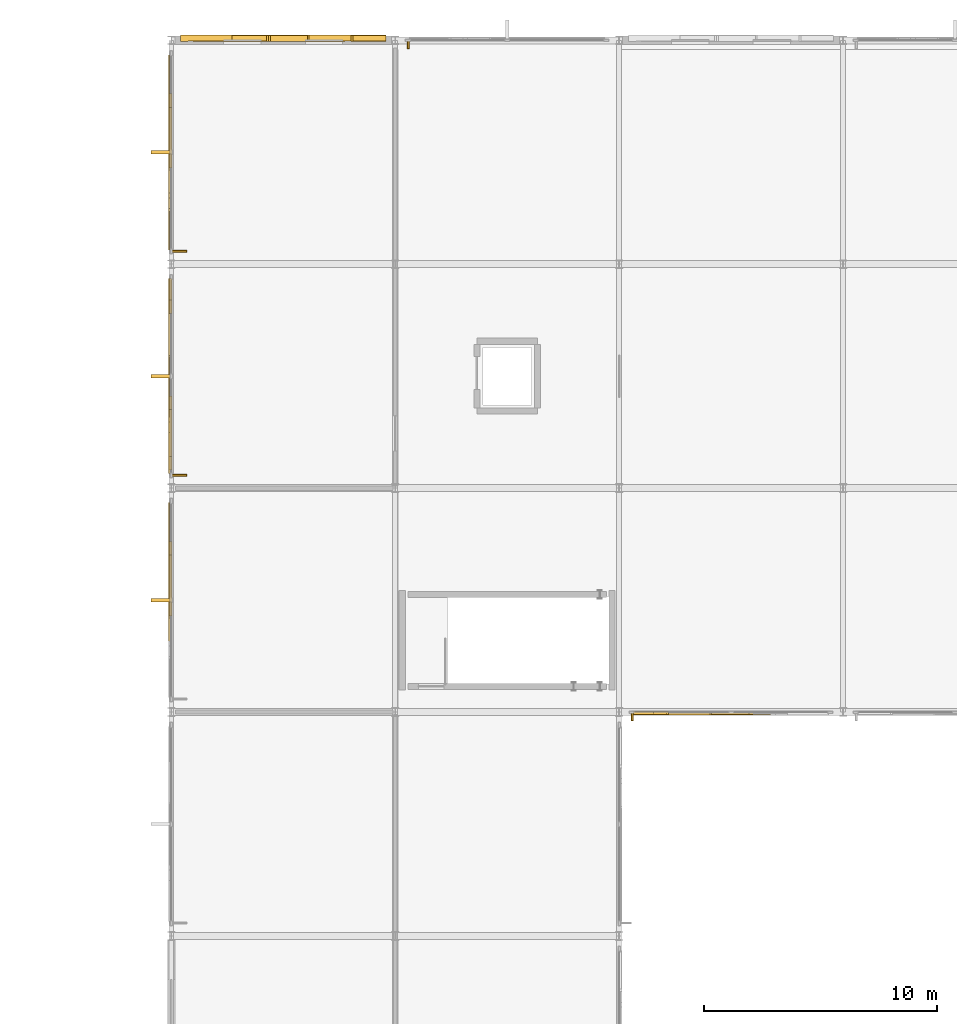
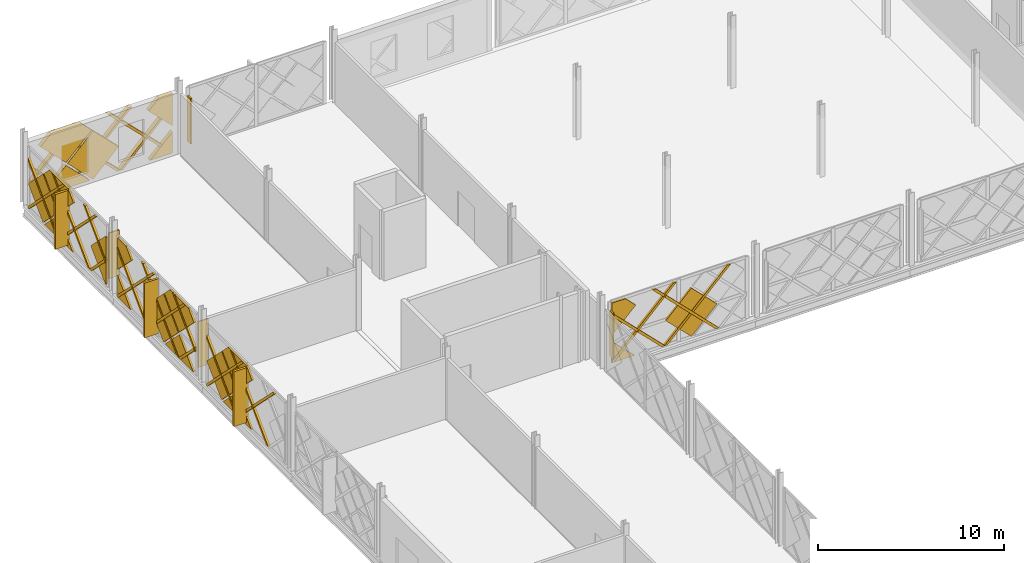
# One storey, part 65 of 77: 49 coverings, 4 shading devices.
"""IFC4 building model written with IfcOpenShell, lengths in metres."""

from ifc_helpers import new_model, si_unit, direction, frame, origin, origin_2d, place, context, subcontext, project, spatial, polyline, rectangle, outline, extrude, material, layer, layer_set, type_object, element, save


model = new_model("IFC4")

# Units and contexts
model_context = context("Model", 3, precision=1e-05, world=origin(), true_north=direction((0.0, 1.0)))
body_context = subcontext(model_context, "Body", "Model", "MODEL_VIEW")
ifc_project = project(units=[si_unit("LENGTHUNIT", "METRE"), si_unit("AREAUNIT", "SQUARE_METRE"), si_unit("VOLUMEUNIT", "CUBIC_METRE"), si_unit("PLANEANGLEUNIT", "RADIAN"), si_unit("MASSUNIT", "GRAM", prefix="KILO")], contexts=[model_context])

# Site, building, storey
site_placement = place(None, origin())
site = spatial("IfcSite", under=ifc_project, at=site_placement, CompositionType="ELEMENT")
building_placement = place(site_placement, origin())
building = spatial("IfcBuilding", under=site, at=building_placement, Name="Zevrakil Square Congress Hotel", CompositionType="ELEMENT")
storey_placement = place(building_placement, frame((0.0, 0.0, 9.89990234375)))
storey = spatial("IfcBuildingStorey", under=building, at=storey_placement, Name="L03", CompositionType="ELEMENT", Elevation=9.89990234375)

# Coverings
ifc_material_1 = material(Name="Architectural White Fibre-C GRC", Category="concrete")
ifc_layer_1 = layer(ifc_material_1, 0.06494140625)
ifc_layer_set_1 = layer_set([ifc_layer_1], Name="Architectural White Fibre-C GRC")
covering_type_1 = type_object("IfcCoveringType", Name="COV-DIA-WHITE", PredefinedType="CLADDING", material=ifc_layer_set_1)
covering_1_placement = place(storey_placement, frame((45.506103515625, 89.719970703125, 1.590087890625), z_axis=(-0.999999673239, 0.0, 0.000808407173), x_axis=(-0.000571630288, -0.707106665659, -0.707106665659)))
element("IfcCovering", 1, at=covering_1_placement, inside=storey, type_object=covering_type_1, Name="L03 45-degree white GRC diamond facade cassette 510", PredefinedType="CLADDING", context=body_context, shape_type="SweptSolid", body=[
    extrude(outline(polyline([(0.0, 0.0), (2.1354766387581616, -2.220446049250313e-16), (6.977908784122633e-07, -2.135476638758047), (0.0, 0.0)])), origin(), (0.0, 0.0, -1.0), 0.1201171875),
])
covering_2_placement = place(storey_placement, frame((45.507080078125, 91.39990234375, 3.27001953125), z_axis=(-0.999999812555, 0.0, 0.000612281941), x_axis=(-0.000432948753, -0.707106714489, -0.707106715341)))
element("IfcCovering", 2, at=covering_2_placement, inside=storey, type_object=covering_type_1, Name="L03 45-degree white GRC diamond facade cassette 511", PredefinedType="CLADDING", context=body_context, shape_type="SweptSolid", body=[
    extrude(outline(polyline([(0.0, 0.0), (2.2483788053823686, 2.220446049250313e-16), (2.2485518630143098, -2.2485514388251864), (0.013983735657622232, -2.2485514362281265), (-0.00017220932723183147, -2.23439549391379), (0.0, 0.0)])), origin(), (0.0, 0.0, -1.0), 0.1201171875),
])
covering_3_placement = place(storey_placement, frame((45.507080078125, 88.1298828125, 3.360107421875), z_axis=(-0.999999854023, 0.0, 0.000540328059), x_axis=(-0.00038206967, 0.707106715472, -0.70710674368)))
element("IfcCovering", 3, at=covering_3_placement, inside=storey, type_object=covering_type_1, Name="L03 45-degree white GRC diamond facade cassette 513", PredefinedType="CLADDING", context=body_context, shape_type="SweptSolid", body=[
    extrude(outline(polyline([(0.0, 0.0), (2.248724069270764, 0.0), (2.2487236513034583, -2.2487240692707253), (1.4214639271342926, -2.2487240252880873), (0.00017252369644732424, -0.827432357676704), (0.0, 0.0)])), origin(), (0.0, 0.0, -1.0), 0.1201171875),
])
covering_4_placement = place(storey_placement, frame((45.5048828125, 101.169921875, 0.080078125), z_axis=(-0.999999760125, 0.0, 0.000692640526), x_axis=(0.0, 1.0, 0.0)))
element("IfcCovering", 4, at=covering_4_placement, inside=storey, type_object=covering_type_1, Name="L03 45-degree white GRC diamond facade cassette 521", PredefinedType="CLADDING", context=body_context, shape_type="SweptSolid", body=[
    extrude(outline(polyline([(0.0, 0.0), (1.41015625, 0.0), (1.41015625, -1.4099124475784226), (0.0, 0.0)])), origin(), (0.0, 0.0, -1.0), 0.1201171875),
])
covering_5_placement = place(storey_placement, frame((45.506103515625, 95.9599609375, 1.590087890625), z_axis=(-0.999999673239, 0.0, 0.000808407173), x_axis=(-0.000571630288, -0.707106665659, -0.707106665659)))
element("IfcCovering", 5, at=covering_5_placement, inside=storey, type_object=covering_type_1, Name="L03 45-degree white GRC diamond facade cassette 522", PredefinedType="CLADDING", context=body_context, shape_type="SweptSolid", body=[
    extrude(outline(polyline([(0.0, 0.0), (2.1354766387581616, -2.220446049250313e-16), (6.977908784122633e-07, -2.135476638758047), (0.0, 0.0)])), origin(), (0.0, 0.0, -1.0), 0.1201171875),
])
covering_6_placement = place(storey_placement, frame((45.507080078125, 97.639892578125, 3.27001953125), z_axis=(-0.999999811377, 0.0, 0.000614203339), x_axis=(-0.000434307387, -0.707106714488, -0.707106714509)))
element("IfcCovering", 6, at=covering_6_placement, inside=storey, type_object=covering_type_1, Name="L03 45-degree white GRC diamond facade cassette 523", PredefinedType="CLADDING", context=body_context, shape_type="SweptSolid", body=[
    extrude(outline(polyline([(0.0, 0.0), (2.2483788053845455, -2.220446049250313e-16), (2.2485518630206376, -2.24855143882716), (-0.00017220931434658304, -2.2485514388922905), (0.0, 0.0)])), origin(), (0.0, 0.0, -1.0), 0.1201171875),
])
covering_7_placement = place(storey_placement, frame((45.507080078125, 101.090087890625, 3.360107421875), z_axis=(-0.999999839698, -5.7299111e-05, 0.000563312318), x_axis=(-0.000438838581, 0.707106706873, -0.707106719326)))
element("IfcCovering", 7, at=covering_7_placement, inside=storey, type_object=covering_type_1, Name="L03 45-degree white GRC diamond facade cassette 524", PredefinedType="CLADDING", context=body_context, shape_type="SweptSolid", body=[
    extrude(outline(polyline([(0.0, 0.0), (2.1071646229117613, 0.0), (0.6399521713140077, -1.467212143818636), (-1.1442284281182324e-07, -0.8272597256709662), (0.0, 0.0)])), origin(), (0.0, 0.0, -1.0), 0.1201171875),
])
covering_8_placement = place(storey_placement, frame((45.507080078125, 94.3701171875, 3.360107421875), z_axis=(-0.999999854024, 0.0, 0.000540326688), x_axis=(-0.000382098033, 0.707052424955, -0.707161030011)))
element("IfcCovering", 8, at=covering_8_placement, inside=storey, type_object=covering_type_1, Name="L03 45-degree white GRC diamond facade cassette 525", PredefinedType="CLADDING", context=body_context, shape_type="SweptSolid", body=[
    extrude(outline(polyline([(0.0, 0.0), (2.2485514424221993, -2.220446049250313e-16), (2.2483783776940776, -2.2487240626110068), (1.4211186559663462, -2.2486605054060838), (-6.362300143414323e-05, -0.8272597217226735), (0.0, 0.0)])), origin(), (0.0, 0.0, -1.0), 0.1201171875),
])
covering_9_placement = place(storey_placement, frame((45.506103515625, 108.919921875, 1.590087890625), z_axis=(-0.999999673239, 0.0, 0.000808407173), x_axis=(-0.000571630288, -0.707106665659, -0.707106665659)))
element("IfcCovering", 9, at=covering_9_placement, inside=storey, type_object=covering_type_1, Name="L03 45-degree white GRC diamond facade cassette 533", PredefinedType="CLADDING", context=body_context, shape_type="SweptSolid", body=[
    extrude(outline(polyline([(0.0, 0.0), (2.1354766387581616, -2.220446049250313e-16), (6.977908784122633e-07, -2.135476638758047), (0.0, 0.0)])), origin(), (0.0, 0.0, -1.0), 0.1201171875),
])
covering_10_placement = place(storey_placement, frame((45.507080078125, 110.60009765625, 3.27001953125), z_axis=(-0.999999812555, 0.0, 0.000612282237), x_axis=(-0.000432915721, -0.707161000838, -0.707052424844)))
element("IfcCovering", 10, at=covering_10_placement, inside=storey, type_object=covering_type_1, Name="L03 45-degree white GRC diamond facade cassette 534", PredefinedType="CLADDING", context=body_context, shape_type="SweptSolid", body=[
    extrude(outline(polyline([(0.0, 0.0), (2.2485514454845923, 0.0), (2.248379222880032, -2.2487240657380214), (0.013983748838055643, -2.248379882955194), (-0.0001711092764935529, -2.234222853853795), (0.0, 0.0)])), origin(), (0.0, 0.0, -1.0), 0.1201171875),
])
covering_11_placement = place(storey_placement, frame((45.505126953125, 103.8798828125, 0.090087890625), z_axis=(-0.999999802683, 0.000140327885, 0.000612324892), x_axis=(0.000532205901, 0.707106704157, 0.707106657933)))
element("IfcCovering", 11, at=covering_11_placement, inside=storey, type_object=covering_type_1, Name="L03 45-degree white GRC diamond facade cassette 535", PredefinedType="CLADDING", context=body_context, shape_type="SweptSolid", body=[
    extrude(outline(polyline([(0.0, 0.0), (2.248724061551621, 2.220446049250313e-16), (2.2485518743230286, -2.2485514275168326), (2.163961345534469, -2.248551358294879), (0.00017263069657306312, -0.08476303958088106), (0.0, 0.0)])), origin(), (0.0, 0.0, -1.0), 0.1201171875),
])
covering_12_placement = place(storey_placement, frame((45.507080078125, 107.330078125, 3.360107421875), z_axis=(-0.999999854024, 0.0, 0.000540326688), x_axis=(-0.000382098033, 0.707052424955, -0.707161030011)))
element("IfcCovering", 12, at=covering_12_placement, inside=storey, type_object=covering_type_1, Name="L03 45-degree white GRC diamond facade cassette 536", PredefinedType="CLADDING", context=body_context, shape_type="SweptSolid", body=[
    extrude(outline(polyline([(0.0, 0.0), (2.2485514424221993, -2.220446049250313e-16), (2.2483783776940776, -2.2487240626110068), (1.4211186559663462, -2.2486605054060838), (-6.362300143414323e-05, -0.8272597217226735), (0.0, 0.0)])), origin(), (0.0, 0.0, -1.0), 0.1201171875),
])
covering_13_placement = place(storey_placement, frame((53.389892578125, 113.0, 0.080078125), z_axis=(0.0, 0.999999760125, 0.000692640526), x_axis=(1.0, 0.0, 0.0)))
element("IfcCovering", 13, at=covering_13_placement, inside=storey, type_object=covering_type_1, Name="L03 45-degree white GRC diamond facade cassette 602", PredefinedType="CLADDING", context=body_context, shape_type="SweptSolid", body=[
    extrude(outline(polyline([(0.0, 0.0), (1.41015625, 0.0), (1.41015625, -1.4099124475784226), (0.0, 0.0)])), origin(), (0.0, 0.0, -1.0), 0.239990234375),
])
covering_14_placement = place(storey_placement, frame((48.179931640625, 112.9990234375, 1.590087890625), z_axis=(0.0, 0.999999790873, 0.000646725815), x_axis=(-0.707106707249, 0.000457304257, -0.707106707249)))
element("IfcCovering", 14, at=covering_14_placement, inside=storey, type_object=covering_type_1, Name="L03 45-degree white GRC diamond facade cassette 603", PredefinedType="CLADDING", context=body_context, shape_type="SweptSolid", body=[
    extrude(outline(polyline([(0.0, 0.0), (2.1354765131557993, 0.0), (4.465861884739297e-07, -2.1354765131557527), (0.0, 0.0)])), origin(), (0.0, 0.0, -1.0), 0.239990234375),
])
covering_15_placement = place(storey_placement, frame((49.860107421875, 112.998046875, 3.27001953125), z_axis=(0.0, 0.999999811377, 0.000614203339), x_axis=(-0.707161000837, 0.000434274042, -0.707052424012)))
element("IfcCovering", 15, at=covering_15_placement, inside=storey, type_object=covering_type_1, Name="L03 45-degree white GRC diamond facade cassette 604", PredefinedType="CLADDING", context=body_context, shape_type="SweptSolid", body=[
    extrude(outline(polyline([(0.0, 0.0), (2.2485514454867683, 0.0), (2.2483792228863573, -2.248724065739994), (-0.0001721960923970478, -2.248378798790573), (0.0, 0.0)])), origin(), (0.0, 0.0, -1.0), 0.239990234375),
])
covering_16_placement = place(storey_placement, frame((53.31005859375, 112.998046875, 3.360107421875), z_axis=(6.8463888e-05, 0.999999818345, 0.00059885107), x_axis=(0.707106740618, 0.000375040409, -0.707106722297)))
element("IfcCovering", 16, at=covering_16_placement, inside=storey, type_object=covering_type_1, Name="L03 45-degree white GRC diamond facade cassette 605", PredefinedType="CLADDING", context=body_context, shape_type="SweptSolid", body=[
    extrude(outline(polyline([(0.0, 0.0), (2.1071645237524566, 0.0), (0.597484308495914, -1.509680043501462), (-1.7130816543087235e-07, -0.9121954979388295), (0.0, 0.0)])), origin(), (0.0, 0.0, -1.0), 0.239990234375),
])
covering_17_placement = place(storey_placement, frame((46.590087890625, 112.998046875, 3.360107421875), z_axis=(0.0, 0.999999833525, 0.000577018806), x_axis=(0.70705245556, 0.000408045255, -0.707160984914)))
element("IfcCovering", 17, at=covering_17_placement, inside=storey, type_object=covering_type_1, Name="L03 45-degree white GRC diamond facade cassette 606", PredefinedType="CLADDING", context=body_context, shape_type="SweptSolid", body=[
    extrude(outline(polyline([(0.0, 0.0), (2.2485513450909322, -2.220446049250313e-16), (2.2483784750178573, -2.2487239653021844), (1.3361829853145168, -2.248654009101226), (-7.020279398489704e-05, -0.9121954896843962), (0.0, 0.0)])), origin(), (0.0, 0.0, -1.0), 0.239990234375),
])
covering_18_placement = place(storey_placement, frame((66.830078125, 83.905029296875, 0.080078125), z_axis=(0.0, -0.999999760125, 0.000692640526), x_axis=(-1.0, 0.0, 0.0)))
element("IfcCovering", 18, at=covering_18_placement, inside=storey, type_object=covering_type_1, Name="L03 45-degree white GRC diamond facade cassette 1544", PredefinedType="CLADDING", context=body_context, shape_type="SweptSolid", body=[
    extrude(outline(polyline([(0.0, 0.0), (1.41015625, 0.0), (1.41015625, -1.4099124475784226), (0.0, 0.0)])), origin(), (0.0, 0.0, -1.0), 0.1201171875),
])
covering_19_placement = place(storey_placement, frame((70.360107421875, 83.906982421875, 3.27001953125), z_axis=(0.0, -0.999999811377, 0.000614203339), x_axis=(0.707106714488, -0.000434307387, -0.707106714509)))
element("IfcCovering", 19, at=covering_19_placement, inside=storey, type_object=covering_type_1, Name="L03 45-degree white GRC diamond facade cassette 1546", PredefinedType="CLADDING", context=body_context, shape_type="SweptSolid", body=[
    extrude(outline(polyline([(0.0, 0.0), (2.2483788053845455, -2.220446049250313e-16), (2.2485518630206376, -2.24855143882716), (-0.00017220931434658304, -2.2485514388922905), (0.0, 0.0)])), origin(), (0.0, 0.0, -1.0), 0.1201171875),
])
covering_20_placement = place(storey_placement, frame((66.909912109375, 83.906982421875, 3.360107421875), z_axis=(-2.6201832e-05, -0.999999757117, 0.000696476053), x_axis=(-0.707106705563, -0.000473955506, -0.70710669797)))
element("IfcCovering", 20, at=covering_20_placement, inside=storey, type_object=covering_type_1, Name="L03 45-degree white GRC diamond facade cassette 1547", PredefinedType="CLADDING", context=body_context, shape_type="SweptSolid", body=[
    extrude(outline(polyline([(0.0, 0.0), (2.1071646234335564, 0.0), (0.5974842236581275, -1.5096800770776109), (-2.2652588360649872e-07, -0.9121954995045182), (0.0, 0.0)])), origin(), (0.0, 0.0, -1.0), 0.1201171875),
])
ifc_material_2 = material(Name="Anodised Champagne Aluminium", Category="aluminium")
ifc_layer_2 = layer(ifc_material_2, 0.0849609375)
ifc_layer_set_2 = layer_set([ifc_layer_2], Name="Anodised Champagne Aluminium")
covering_type_2 = type_object("IfcCoveringType", Name="COV-DIAGRID-45", PredefinedType="MOLDING", material=ifc_layer_set_2)
covering_21_placement = place(storey_placement, frame((45.47998046875, 92.893798828125, 0.080078125), z_axis=(-0.999999881537, -0.000189525479, 0.0004483359), x_axis=(-0.00018952546, 0.99999998204, 8.4971e-08)))
element("IfcCovering", 21, at=covering_21_placement, inside=storey, type_object=covering_type_2, Name="L03 45-degree aluminium diagrid rib 514", PredefinedType="MOLDING", context=body_context, shape_type="SweptSolid", body=[
    extrude(outline(polyline([(0.0, 0.0), (0.08618163907718172, -1.1406045165281983e-24), (0.08618164980229089, -0.12622069043949768), (-3.6525879593209467, -3.864990940503721), (-3.8649902992562106, -3.864990940503721), (0.0, 0.0)])), origin(), (0.0, 0.0, -1.0), 0.14501953125),
])
covering_22_placement = place(storey_placement, frame((45.47998046875, 89.533935546875, 0.080078125), z_axis=(-0.999999800495, 0.0, 0.00063167191), x_axis=(0.0, 1.0, 0.0)))
element("IfcCovering", 22, at=covering_22_placement, inside=storey, type_object=covering_type_2, Name="L03 45-degree aluminium diagrid rib 515", PredefinedType="MOLDING", context=body_context, shape_type="SweptSolid", body=[
    extrude(outline(polyline([(0.0, 0.0), (0.212158203125, 0.0), (-3.65283203125, -3.8649910054589514), (-3.864990234375, -3.8649910054589514), (0.0, 0.0)])), origin(), (0.0, 0.0, -1.0), 0.14501953125),
])
covering_23_placement = place(storey_placement, frame((45.48193359375, 92.97998046875, 3.154052734375), z_axis=(-0.999999905696, 0.00030708991, 0.00030708991), x_axis=(0.000307089896, -9.4304e-08, 0.999999952848)))
element("IfcCovering", 23, at=covering_23_placement, inside=storey, type_object=covering_type_2, Name="L03 45-degree aluminium diagrid rib 517", PredefinedType="MOLDING", context=body_context, shape_type="SweptSolid", body=[
    extrude(outline(polyline([(0.0, 0.0), (0.2121581931212936, 0.0), (-3.0739747543193885, -3.2861332573369064), (-3.073974774326802, -3.0739750642156136), (0.0, 0.0)])), origin(), (0.0, 0.0, -1.0), 0.14501953125),
])
covering_24_placement = place(storey_placement, frame((45.482421875, 90.4111328125, 3.945068359375), z_axis=(-0.999999800495, 0.0, 0.00063167191), x_axis=(0.0, -1.0, 0.0)))
element("IfcCovering", 24, at=covering_24_placement, inside=storey, type_object=covering_type_2, Name="L03 45-degree aluminium diagrid rib 518", PredefinedType="MOLDING", context=body_context, shape_type="SweptSolid", body=[
    extrude(outline(polyline([(0.0, 0.0), (0.212158203125, 0.0), (4.0771484375, -3.8649910054589514), (3.864990234375, -3.8649910054589514), (0.0, 0.0)])), origin(), (0.0, 0.0, -1.0), 0.14501953125),
])
covering_25_placement = place(storey_placement, frame((45.47998046875, 102.493896484375, 0.080078125), z_axis=(-0.999999881569, -0.000189631936, 0.000448220941), x_axis=(-0.000189631917, 0.99999998202, 8.4997e-08)))
element("IfcCovering", 25, at=covering_25_placement, inside=storey, type_object=covering_type_2, Name="L03 45-degree aluminium diagrid rib 526", PredefinedType="MOLDING", context=body_context, shape_type="SweptSolid", body=[
    extrude(outline(polyline([(0.0, 0.0), (0.08618163907544239, 0.0), (0.08618164980382431, -0.12622069044600231), (-3.6528321000275326, -3.8649909404222353), (-3.864990299337899, -3.8649909404222353), (0.0, 0.0)])), origin(), (0.0, 0.0, -1.0), 0.14501953125),
])
covering_26_placement = place(storey_placement, frame((45.47998046875, 99.1337890625, 0.080078125), z_axis=(-0.999999800495, 0.0, 0.00063167191), x_axis=(0.0, 1.0, 0.0)))
element("IfcCovering", 26, at=covering_26_placement, inside=storey, type_object=covering_type_2, Name="L03 45-degree aluminium diagrid rib 527", PredefinedType="MOLDING", context=body_context, shape_type="SweptSolid", body=[
    extrude(outline(polyline([(0.0, 0.0), (0.21240234375, 0.0), (-3.652587890625, -3.864991005458952), (-3.864990234375, -3.864991005458952), (0.0, 0.0)])), origin(), (0.0, 0.0, -1.0), 0.14501953125),
])
covering_27_placement = place(storey_placement, frame((45.47998046875, 95.77392578125, 0.080078125), z_axis=(-0.999999559446, 0.000244467201, 0.000906280278), x_axis=(0.000244467101, 0.999999970118, -2.21556e-07)))
element("IfcCovering", 27, at=covering_27_placement, inside=storey, type_object=covering_type_2, Name="L03 45-degree aluminium diagrid rib 528", PredefinedType="MOLDING", context=body_context, shape_type="SweptSolid", body=[
    extrude(outline(polyline([(0.0, 0.0), (0.21215819678526596, 0.0), (-1.5539551245604528, -1.766113662255786), (-1.5539551372399212, -1.5539553249983964), (0.0, 0.0)])), origin(), (0.0, 0.0, -1.0), 0.14501953125),
])
covering_28_placement = place(storey_placement, frame((45.48193359375, 102.580078125, 3.154052734375), z_axis=(-0.999999905696, 0.00030708991, 0.00030708991), x_axis=(0.000307089896, -9.4304e-08, 0.999999952848)))
element("IfcCovering", 28, at=covering_28_placement, inside=storey, type_object=covering_type_2, Name="L03 45-degree aluminium diagrid rib 529", PredefinedType="MOLDING", context=body_context, shape_type="SweptSolid", body=[
    extrude(outline(polyline([(0.0, 0.0), (0.2121581931212936, 0.0), (-3.0739747543193885, -3.2861332573369064), (-3.073974774326802, -3.0739750642156136), (0.0, 0.0)])), origin(), (0.0, 0.0, -1.0), 0.14501953125),
])
covering_29_placement = place(storey_placement, frame((45.482421875, 100.010986328125, 3.945068359375), z_axis=(-0.999999800495, 0.0, 0.00063167191), x_axis=(0.0, -1.0, 0.0)))
element("IfcCovering", 29, at=covering_29_placement, inside=storey, type_object=covering_type_2, Name="L03 45-degree aluminium diagrid rib 530", PredefinedType="MOLDING", context=body_context, shape_type="SweptSolid", body=[
    extrude(outline(polyline([(0.0, 0.0), (0.212158203125, 0.0), (4.0771484375, -3.8649910054589514), (3.864990234375, -3.8649910054589514), (0.0, 0.0)])), origin(), (0.0, 0.0, -1.0), 0.14501953125),
])
covering_30_placement = place(storey_placement, frame((45.482421875, 96.651123046875, 3.945068359375), z_axis=(-0.999999900763, 0.000315199621, 0.000314837322), x_axis=(-0.000315199605, -0.999999950325, 9.9237e-08)))
element("IfcCovering", 30, at=covering_30_placement, inside=storey, type_object=covering_type_2, Name="L03 45-degree aluminium diagrid rib 531", PredefinedType="MOLDING", context=body_context, shape_type="SweptSolid", body=[
    extrude(outline(polyline([(0.0, 0.0), (0.21215819258595606, 0.0), (2.431152464518475, -2.2187503512234255), (2.4311524434403866, -2.431152684446494), (0.0, 0.0)])), origin(), (0.0, 0.0, -1.0), 0.14501953125),
])
covering_31_placement = place(storey_placement, frame((45.47998046875, 112.093994140625, 0.080078125), z_axis=(-0.999999881591, -0.000189745714, 0.000448122857), x_axis=(-0.000189745695, 0.999999981998, 8.5029e-08)))
element("IfcCovering", 31, at=covering_31_placement, inside=storey, type_object=covering_type_2, Name="L03 45-degree aluminium diagrid rib 537", PredefinedType="MOLDING", context=body_context, shape_type="SweptSolid", body=[
    extrude(outline(polyline([(0.0, 0.0), (0.08593749845297734, 0.0), (0.08593750918544711, -0.12622069045155077), (-3.6528321001012993, -3.864990940352672), (-3.8649902994070873, -3.864990940352672), (0.0, 0.0)])), origin(), (0.0, 0.0, -1.0), 0.14501953125),
])
covering_32_placement = place(storey_placement, frame((45.47998046875, 108.73388671875, 0.080078125), z_axis=(-0.999999800495, 0.0, 0.00063167191), x_axis=(0.0, 1.0, 0.0)))
element("IfcCovering", 32, at=covering_32_placement, inside=storey, type_object=covering_type_2, Name="L03 45-degree aluminium diagrid rib 538", PredefinedType="MOLDING", context=body_context, shape_type="SweptSolid", body=[
    extrude(outline(polyline([(0.0, 0.0), (0.212158203125, 0.0), (-3.65283203125, -3.8649910054589514), (-3.864990234375, -3.8649910054589514), (0.0, 0.0)])), origin(), (0.0, 0.0, -1.0), 0.14501953125),
])
covering_33_placement = place(storey_placement, frame((45.47998046875, 105.373779296875, 0.080078125), z_axis=(-0.999999559614, 0.0002443356, 0.00090613071), x_axis=(0.0002443355, 0.99999997015, -2.214e-07)))
element("IfcCovering", 33, at=covering_33_placement, inside=storey, type_object=covering_type_2, Name="L03 45-degree aluminium diagrid rib 539", PredefinedType="MOLDING", context=body_context, shape_type="SweptSolid", body=[
    extrude(outline(polyline([(0.0, 0.0), (0.2124023374098021, 0.0), (-1.5537109838781846, -1.7661136623125855), (-1.5537109965585807, -1.5539553250629556), (0.0, 0.0)])), origin(), (0.0, 0.0, -1.0), 0.14501953125),
])
covering_34_placement = place(storey_placement, frame((45.48193359375, 112.179931640625, 3.154052734375), z_axis=(-0.999999905692, 0.000306919207, 0.000307272394), x_axis=(0.00030727238, -9.4308e-08, 0.999999952792)))
element("IfcCovering", 34, at=covering_34_placement, inside=storey, type_object=covering_type_2, Name="L03 45-degree aluminium diagrid rib 540", PredefinedType="MOLDING", context=body_context, shape_type="SweptSolid", body=[
    extrude(outline(polyline([(0.0, 0.0), (0.21215819310940093, 2.8078904387053947e-24), (-3.0739747544917018, -3.286133257175718), (-3.0739747745229002, -3.073730923429806), (0.0, 0.0)])), origin(), (0.0, 0.0, -1.0), 0.14501953125),
])
covering_35_placement = place(storey_placement, frame((45.482421875, 109.611083984375, 3.945068359375), z_axis=(-0.999999800495, 0.0, 0.00063167191), x_axis=(0.0, -1.0, 0.0)))
element("IfcCovering", 35, at=covering_35_placement, inside=storey, type_object=covering_type_2, Name="L03 45-degree aluminium diagrid rib 541", PredefinedType="MOLDING", context=body_context, shape_type="SweptSolid", body=[
    extrude(outline(polyline([(0.0, 0.0), (0.212158203125, 0.0), (4.0771484375, -3.8649910054589514), (3.864990234375, -3.8649910054589514), (0.0, 0.0)])), origin(), (0.0, 0.0, -1.0), 0.14501953125),
])
covering_36_placement = place(storey_placement, frame((45.482421875, 106.251220703125, 3.945068359375), z_axis=(-0.999999900758, 0.000315026746, 0.000315026746), x_axis=(-0.00031502673, -0.999999950379, 9.9242e-08)))
element("IfcCovering", 36, at=covering_36_placement, inside=storey, type_object=covering_type_2, Name="L03 45-degree aluminium diagrid rib 542", PredefinedType="MOLDING", context=body_context, shape_type="SweptSolid", body=[
    extrude(outline(polyline([(0.0, 0.0), (0.2124023332103989, 2.81112161297318e-24), (2.431152464386038, -2.218750351368541), (2.431152443306835, -2.4311526845789384), (0.0, 0.0)])), origin(), (0.0, 0.0, -1.0), 0.14501953125),
])
covering_37_placement = place(storey_placement, frame((54.7138671875, 113.02490234375, 0.080078125), z_axis=(-0.000167937758, 0.999999906987, 0.000397268623), x_axis=(0.999999985898, 0.000167937745, 6.6716e-08)))
element("IfcCovering", 37, at=covering_37_placement, inside=storey, type_object=covering_type_2, Name="L03 45-degree aluminium diagrid rib 607", PredefinedType="MOLDING", context=body_context, shape_type="SweptSolid", body=[
    extrude(outline(polyline([(0.0, 0.0), (0.08618163940970569, 0.0), (0.08618164783069696, -0.12622069316477477), (-3.7126465391596426, -3.925049391299448), (-3.925048879914441, -3.925049391299448), (0.0, 0.0)])), origin(), (0.0, 0.0, -1.0), 0.264892578125),
])
covering_38_placement = place(storey_placement, frame((51.35400390625, 113.02490234375, 0.080078125), z_axis=(0.0, 0.999999843309, 0.000559805846), x_axis=(1.0, 0.0, 0.0)))
element("IfcCovering", 38, at=covering_38_placement, inside=storey, type_object=covering_type_2, Name="L03 45-degree aluminium diagrid rib 608", PredefinedType="MOLDING", context=body_context, shape_type="SweptSolid", body=[
    extrude(outline(polyline([(0.0, 0.0), (0.212158203125, 0.0), (-3.712890625, -3.9250494431461194), (-3.925048828125, -3.9250494431461194), (0.0, 0.0)])), origin(), (0.0, 0.0, -1.0), 0.264892578125),
])
covering_39_placement = place(storey_placement, frame((47.993896484375, 113.02490234375, 0.080078125), z_axis=(-0.000290646956, 0.999999915524, 0.000290646956), x_axis=(0.999999957762, 0.000290646943, 8.4476e-08)))
element("IfcCovering", 39, at=covering_39_placement, inside=storey, type_object=covering_type_2, Name="L03 45-degree aluminium diagrid rib 609", PredefinedType="MOLDING", context=body_context, shape_type="SweptSolid", body=[
    extrude(outline(polyline([(0.0, 0.0), (0.21215819416389847, -2.8078904387053947e-24), (-1.9938965685928591, -2.2060549491146975), (-1.9938965865150626, -1.9938967549507998), (0.0, 0.0)])), origin(), (0.0, 0.0, -1.0), 0.264892578125),
])
covering_40_placement = place(storey_placement, frame((54.800048828125, 113.023193359375, 3.154052734375), z_axis=(-0.000287477056, 0.99999958606, 0.000863270454), x_axis=(-8.2643e-08, -0.000863270513, 0.999999627382)))
element("IfcCovering", 40, at=covering_40_placement, inside=storey, type_object=covering_type_2, Name="L03 45-degree aluminium diagrid rib 610", PredefinedType="MOLDING", context=body_context, shape_type="SweptSolid", body=[
    extrude(outline(polyline([(0.0, 0.0), (0.21215833483042407, 1.3234889800848443e-23), (-3.0739746676964605, -3.286133202330571), (-3.073974685229852, -3.0739750079722734), (0.0, 0.0)])), origin(), (0.0, 0.0, -1.0), 0.264892578125),
])
covering_41_placement = place(storey_placement, frame((52.291015625, 113.022705078125, 4.005126953125), z_axis=(0.0, 0.999999843309, 0.000559805846), x_axis=(-1.0, 0.0, 0.0)))
element("IfcCovering", 41, at=covering_41_placement, inside=storey, type_object=covering_type_2, Name="L03 45-degree aluminium diagrid rib 611", PredefinedType="MOLDING", context=body_context, shape_type="SweptSolid", body=[
    extrude(outline(polyline([(0.0, 0.0), (0.212158203125, 0.0), (4.13720703125, -3.9250494431461194), (3.9248046875, -3.9250494431461194), (0.0, 0.0)])), origin(), (0.0, 0.0, -1.0), 0.264892578125),
])
covering_42_placement = place(storey_placement, frame((48.93115234375, 113.022705078125, 4.005126953125), z_axis=(-0.000294511409, 0.999999590061, 0.000856236106), x_axis=(-0.999999956632, -0.000294511301, -2.52171e-07)))
element("IfcCovering", 42, at=covering_42_placement, inside=storey, type_object=covering_type_2, Name="L03 45-degree aluminium diagrid rib 612", PredefinedType="MOLDING", context=body_context, shape_type="SweptSolid", body=[
    extrude(outline(polyline([(0.0, 0.0), (0.21215819392401997, 0.0), (2.9311524708696437, -2.7189943981748455), (2.9311524524676837, -2.931152732570991), (0.0, 0.0)])), origin(), (0.0, 0.0, -1.0), 0.264892578125),
])
covering_43_placement = place(storey_placement, frame((65.506103515625, 83.8798828125, 0.080078125), z_axis=(-0.000393880397, -0.999999419179, 0.001003244825), x_axis=(-0.999999922429, 0.000393880199, -3.95159e-07)))
element("IfcCovering", 43, at=covering_43_placement, inside=storey, type_object=covering_type_2, Name="L03 45-degree aluminium diagrid rib 1549", PredefinedType="MOLDING", context=body_context, shape_type="SweptSolid", body=[
    extrude(outline(polyline([(0.0, 0.0), (0.08618163393981375, -4.562418066112793e-24), (0.08618168022478785, -0.1262208845372316), (-3.712890926382613, -3.9250493021714), (-3.925049113050313, -3.9250493021714), (0.0, 0.0)])), origin(), (0.0, 0.0, -1.0), 0.14501953125),
])
covering_44_placement = place(storey_placement, frame((68.8662109375, 83.8798828125, 0.080078125), z_axis=(0.0, -0.999999806554, 0.000622006473), x_axis=(-1.0, 0.0, 0.0)))
element("IfcCovering", 44, at=covering_44_placement, inside=storey, type_object=covering_type_2, Name="L03 45-degree aluminium diagrid rib 1550", PredefinedType="MOLDING", context=body_context, shape_type="SweptSolid", body=[
    extrude(outline(polyline([(0.0, 0.0), (0.21240234375, 0.0), (-3.712646484375, -3.9250495874103186), (-3.9248046875, -3.9250495874103186), (0.0, 0.0)])), origin(), (0.0, 0.0, -1.0), 0.14501953125),
])
covering_45_placement = place(storey_placement, frame((65.419921875, 83.8818359375, 3.154052734375), z_axis=(0.000249090824, -0.999999562484, 0.000901656659), x_axis=(6.2046e-08, 0.000901656702, 0.999999593508)))
element("IfcCovering", 45, at=covering_45_placement, inside=storey, type_object=covering_type_2, Name="L03 45-degree aluminium diagrid rib 1552", PredefinedType="MOLDING", context=body_context, shape_type="SweptSolid", body=[
    extrude(outline(polyline([(0.0, 0.0), (0.21215833701531478, 1.3234889800848443e-23), (-3.073974916983605, -3.2861331051745672), (-3.073974930147215, -3.073974908631377), (0.0, 0.0)])), origin(), (0.0, 0.0, -1.0), 0.14501953125),
])
covering_46_placement = place(storey_placement, frame((67.928955078125, 83.88232421875, 4.005126953125), z_axis=(0.0, -0.999999806554, 0.000622006473), x_axis=(1.0, 0.0, 0.0)))
element("IfcCovering", 46, at=covering_46_placement, inside=storey, type_object=covering_type_2, Name="L03 45-degree aluminium diagrid rib 1553", PredefinedType="MOLDING", context=body_context, shape_type="SweptSolid", body=[
    extrude(outline(polyline([(0.0, 0.0), (0.212158203125, 0.0), (4.13720703125, -3.9250495874103186), (3.925048828125, -3.9250495874103186), (0.0, 0.0)])), origin(), (0.0, 0.0, -1.0), 0.14501953125),
])
ifc_material_3 = material(Name="Architectural White Fibre-C GRC", Category="concrete")
ifc_layer_3 = layer(ifc_material_3, 0.139892578125)
ifc_layer_set_3 = layer_set([ifc_layer_3], Name="Architectural White Fibre-C GRC")
covering_type_3 = type_object("IfcCoveringType", Name="COV-FIN-GRC90", PredefinedType="MOLDING", material=ifc_layer_set_3)
for number, where, z_axis, x_axis, name in (
    (47, (45.179931640625, 88.800048828125, 0.212646484375), (0.0, 0.0, 1.0), (-1.0, 0.0, 0.0), "L03 highland sun-breaker GRC fin 520"),
    (48, (45.179931640625, 98.39990234375, 0.212646484375), (0.0, 0.0, 1.0), (-1.0, 0.0, 0.0), "L03 highland sun-breaker GRC fin 532"),
    (49, (45.179931640625, 108.0, 0.212646484375), (0.0, 0.0, 1.0), (-1.0, 0.0, 0.0), "L03 highland sun-breaker GRC fin 543"),
):
    element("IfcCovering", number, at=place(storey_placement, frame(where, z_axis=z_axis, x_axis=x_axis)), inside=storey, type_object=covering_type_3, Name=name, PredefinedType="MOLDING", context=body_context, shape_type="SweptSolid", body=[
        extrude(rectangle(XDim=0.89990234375, YDim=0.139892578125, at=origin_2d()), origin(), (0.0, 0.0, 1.0), 3.60009765625),
    ])

# Shading devices
ifc_material_4 = material(Name="Aluminium Anodised Bronze", Category="aluminium")
shading_device_type_1 = type_object("IfcShadingDeviceType", Name="SHD-FIN-35", PredefinedType="JALOUSIE", material=ifc_material_4)
for number, where, z_axis, x_axis, name in (
    (50, (55.760009765625, 112.60498046875, 0.54248046875), (0.0, 0.0, 1.0), (0.0, -1.0, 0.0), "L03 aluminium solar shading fin 38"),
    (51, (65.360107421875, 83.804931640625, 0.54248046875), (0.0, 0.0, 1.0), (0.0, -1.0, 0.0), "L03 aluminium solar shading fin 71"),
):
    element("IfcShadingDevice", number, at=place(storey_placement, frame(where, z_axis=z_axis, x_axis=x_axis)), inside=storey, type_object=shading_device_type_1, Name=name, PredefinedType="JALOUSIE", context=body_context, shape_type="SweptSolid", body=[
        extrude(rectangle(XDim=0.35009765625, YDim=0.080078125, at=origin_2d()), origin(), (0.0, 0.0, 1.0), 3.0),
    ])
ifc_material_5 = material(Name="Aluminium Anodised Bronze", Category="aluminium")
shading_device_type_2 = type_object("IfcShadingDeviceType", Name="SHD-FIN-65", PredefinedType="USERDEFINED", material=ifc_material_5)
for number, where, z_axis, x_axis, name in (
    (52, (45.945068359375, 94.159912109375, 0.5126953125), (0.0, 0.0, 1.0), (1.0, 0.0, 0.0), "L03 aluminium solar shading fin 31"),
    (53, (45.945068359375, 103.760009765625, 0.5126953125), (0.0, 0.0, 1.0), (1.0, 0.0, 0.0), "L03 aluminium solar shading fin 32"),
):
    element("IfcShadingDevice", number, at=place(storey_placement, frame(where, z_axis=z_axis, x_axis=x_axis)), inside=storey, type_object=shading_device_type_2, Name=name, ObjectType="SOLAR FIN", PredefinedType="USERDEFINED", context=body_context, shape_type="SweptSolid", body=[
        extrude(rectangle(XDim=0.64990234375, YDim=0.080078125, at=origin_2d()), origin(), (0.0, 0.0, 1.0), 3.0),
    ])

save(model, "model.ifc")
